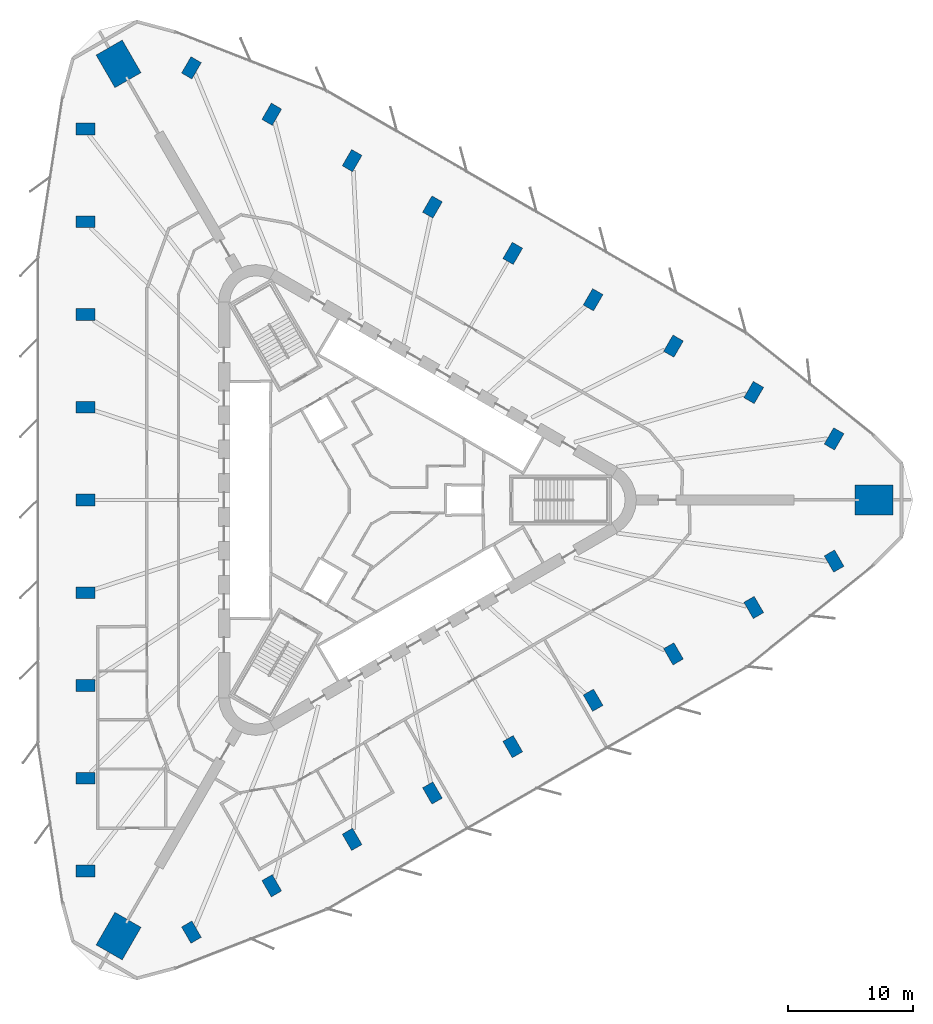
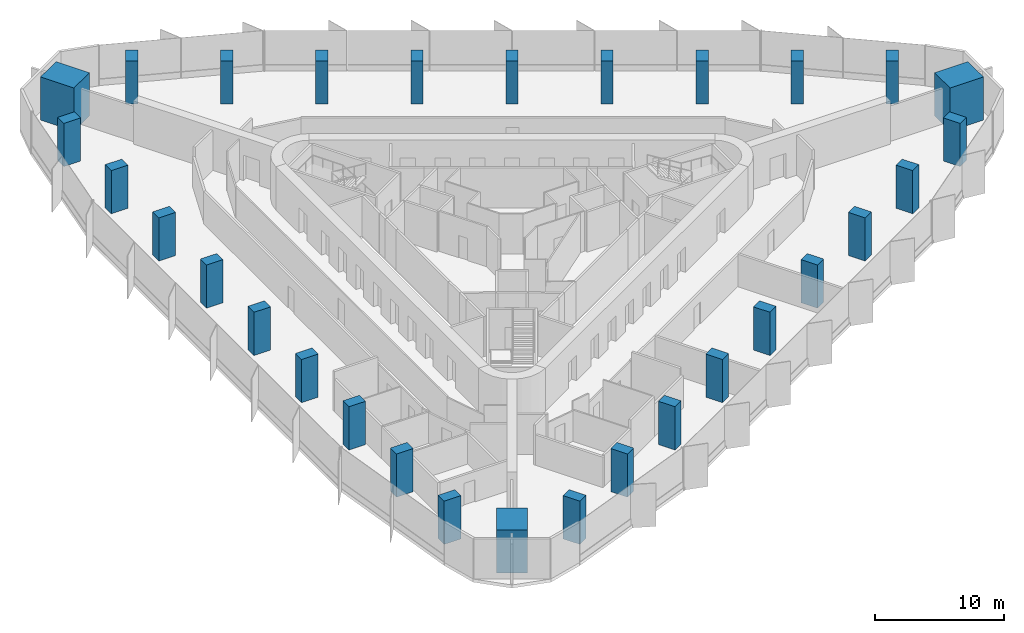
# One storey, part 1 of 15: 30 columns.
"""IFC4 building model written with IfcOpenShell, lengths in metres."""

from ifc_helpers import new_model, si_unit, direction, frame, origin, origin_2d, place, context, subcontext, project, spatial, rectangle, extrude, material, material_profile, profile_set, type_object, element, save


model = new_model("IFC4")

# Units and contexts
model_context = context("Model", 3, precision=1e-05, world=origin(), true_north=direction((0.0, 1.0)))
body_context = subcontext(model_context, "Body", "Model", "MODEL_VIEW")
ifc_project = project(units=[si_unit("LENGTHUNIT", "METRE"), si_unit("AREAUNIT", "SQUARE_METRE"), si_unit("VOLUMEUNIT", "CUBIC_METRE"), si_unit("PLANEANGLEUNIT", "RADIAN"), si_unit("MASSUNIT", "GRAM", prefix="KILO")], contexts=[model_context])

# Site, building, storey
site_placement = place(None, origin())
site = spatial("IfcSite", under=ifc_project, at=site_placement, CompositionType="ELEMENT")
building_placement = place(site_placement, origin())
building = spatial("IfcBuilding", under=site, at=building_placement, Name="Tanit Gate Tower", CompositionType="ELEMENT")
storey_placement = place(building_placement, frame((0.0, 0.0, 131.60009765625)))
storey = spatial("IfcBuildingStorey", under=building, at=storey_placement, Name="L28", CompositionType="ELEMENT", Elevation=131.60009765625)

# Columns
ifc_material_1 = material(Name="Concrete C70/85", Category="concrete")
ifc_material_profile_1 = material_profile(ifc_material_1, rectangle(XDim=3.0, YDim=2.39990234375, at=origin_2d()), Name="RC 3000x2400")
ifc_profile_set_1 = profile_set([ifc_material_profile_1], Name="Concrete C70/85")
column_type_1 = type_object("IfcColumnType", Name="MEGA COLUMN 3000x2400 C70/85", PredefinedType="COLUMN", material=ifc_profile_set_1)
for number, where, z_axis, x_axis, name in (
    (1, (40.127685546875, 0.0, 0.0), (0.0, 0.0, 1.0), (1.0, 0.0, 0.0), "MEGA COLUMN"),
    (2, (-20.06396484375, 34.751708984375, 0.0), (0.0, 0.0, 1.0), (-0.5, 0.866025403784, 0.0), "MEGA COLUMN"),
    (3, (-20.06396484375, -34.751708984375, 0.0), (0.0, 0.0, 1.0), (-0.5, -0.866025403784, 0.0), "MEGA COLUMN"),
):
    element("IfcColumn", number, at=place(storey_placement, frame(where, z_axis=z_axis, x_axis=x_axis)), inside=storey, type_object=column_type_1, Name=name, PredefinedType="COLUMN", context=body_context, shape_type="SweptSolid", body=[
        extrude(rectangle(XDim=3.0, YDim=2.39990234375, at=origin_2d()), origin(), (0.0, 0.0, 1.0), 4.099853515625),
    ])
ifc_material_2 = material(Name="Concrete C60/75", Category="concrete")
ifc_material_profile_2 = material_profile(ifc_material_2, rectangle(XDim=1.5, YDim=0.949951171875, at=origin_2d()), Name="RC 1500x950")
ifc_profile_set_2 = profile_set([ifc_material_profile_2], Name="Concrete C60/75")
column_type_2 = type_object("IfcColumnType", Name="PERIMETER COLUMN 1500x950 C60/75", PredefinedType="COLUMN", material=ifc_profile_set_2)
for number, where, z_axis, x_axis, name in (
    (4, (-22.69140625, 29.56591796875, 0.0), (0.0, 0.0, 1.0), (-1.0, 0.0, 0.0), "PERIMETER COLUMN"),
    (5, (-22.69140625, 22.17431640625, 0.0), (0.0, 0.0, 1.0), (-1.0, 0.0, 0.0), "PERIMETER COLUMN"),
    (6, (-22.69140625, 14.782958984375, 0.0), (0.0, 0.0, 1.0), (-1.0, 0.0, 0.0), "PERIMETER COLUMN"),
    (7, (-22.69140625, 7.391357421875, 0.0), (0.0, 0.0, 1.0), (-1.0, 0.0, 0.0), "PERIMETER COLUMN"),
    (8, (-22.69140625, 0.0, 0.0), (0.0, 0.0, 1.0), (-1.0, 0.0, 0.0), "PERIMETER COLUMN"),
    (9, (-22.69140625, -7.391357421875, 0.0), (0.0, 0.0, 1.0), (-1.0, 0.0, 0.0), "PERIMETER COLUMN"),
    (10, (-22.69140625, -14.782958984375, 0.0), (0.0, 0.0, 1.0), (-1.0, 0.0, 0.0), "PERIMETER COLUMN"),
    (11, (-22.69140625, -22.17431640625, 0.0), (0.0, 0.0, 1.0), (-1.0, 0.0, 0.0), "PERIMETER COLUMN"),
    (12, (-22.69140625, -29.56591796875, 0.0), (0.0, 0.0, 1.0), (-1.0, 0.0, 0.0), "PERIMETER COLUMN"),
    (13, (36.950439453125, 4.868408203125, 0.0), (0.0, 0.0, 1.0), (0.5, 0.866025403784, 0.0), "PERIMETER COLUMN"),
    (14, (30.54931640625, 8.564208984375, 0.0), (0.0, 0.0, 1.0), (0.5, 0.866025403784, 0.0), "PERIMETER COLUMN"),
    (15, (24.14794921875, 12.259765625, 0.0), (0.0, 0.0, 1.0), (0.5, 0.866025403784, 0.0), "PERIMETER COLUMN"),
    (16, (17.746826171875, 15.95556640625, 0.0), (0.0, 0.0, 1.0), (0.5, 0.866025403784, 0.0), "PERIMETER COLUMN"),
    (17, (11.345703125, 19.6513671875, 0.0), (0.0, 0.0, 1.0), (0.5, 0.866025403784, 0.0), "PERIMETER COLUMN"),
    (18, (4.944580078125, 23.346923828125, 0.0), (0.0, 0.0, 1.0), (0.5, 0.866025403784, 0.0), "PERIMETER COLUMN"),
    (19, (-1.456787109375, 27.042724609375, 0.0), (0.0, 0.0, 1.0), (0.5, 0.866025403784, 0.0), "PERIMETER COLUMN"),
    (20, (-7.85791015625, 30.73828125, 0.0), (0.0, 0.0, 1.0), (0.5, 0.866025403784, 0.0), "PERIMETER COLUMN"),
    (21, (-14.259033203125, 34.43408203125, 0.0), (0.0, 0.0, 1.0), (0.5, 0.866025403784, 0.0), "PERIMETER COLUMN"),
    (22, (-14.259033203125, -34.43408203125, 0.0), (0.0, 0.0, 1.0), (0.5, -0.866025403784, 0.0), "PERIMETER COLUMN"),
    (23, (-7.85791015625, -30.73828125, 0.0), (0.0, 0.0, 1.0), (0.5, -0.866025403784, 0.0), "PERIMETER COLUMN"),
    (24, (-1.456787109375, -27.042724609375, 0.0), (0.0, 0.0, 1.0), (0.5, -0.866025403784, 0.0), "PERIMETER COLUMN"),
    (25, (4.944580078125, -23.346923828125, 0.0), (0.0, 0.0, 1.0), (0.5, -0.866025403784, 0.0), "PERIMETER COLUMN"),
    (26, (11.345703125, -19.6513671875, 0.0), (0.0, 0.0, 1.0), (0.5, -0.866025403784, 0.0), "PERIMETER COLUMN"),
    (27, (17.746826171875, -15.95556640625, 0.0), (0.0, 0.0, 1.0), (0.5, -0.866025403784, 0.0), "PERIMETER COLUMN"),
    (28, (24.14794921875, -12.259765625, 0.0), (0.0, 0.0, 1.0), (0.5, -0.866025403784, 0.0), "PERIMETER COLUMN"),
    (29, (30.54931640625, -8.564208984375, 0.0), (0.0, 0.0, 1.0), (0.5, -0.866025403784, 0.0), "PERIMETER COLUMN"),
    (30, (36.950439453125, -4.868408203125, 0.0), (0.0, 0.0, 1.0), (0.5, -0.866025403784, 0.0), "PERIMETER COLUMN"),
):
    element("IfcColumn", number, at=place(storey_placement, frame(where, z_axis=z_axis, x_axis=x_axis)), inside=storey, type_object=column_type_2, Name=name, PredefinedType="COLUMN", context=body_context, shape_type="SweptSolid", body=[
        extrude(rectangle(XDim=1.5, YDim=0.949951171875, at=origin_2d()), origin(), (0.0, 0.0, 1.0), 4.099853515625),
    ])

save(model, "model.ifc")
